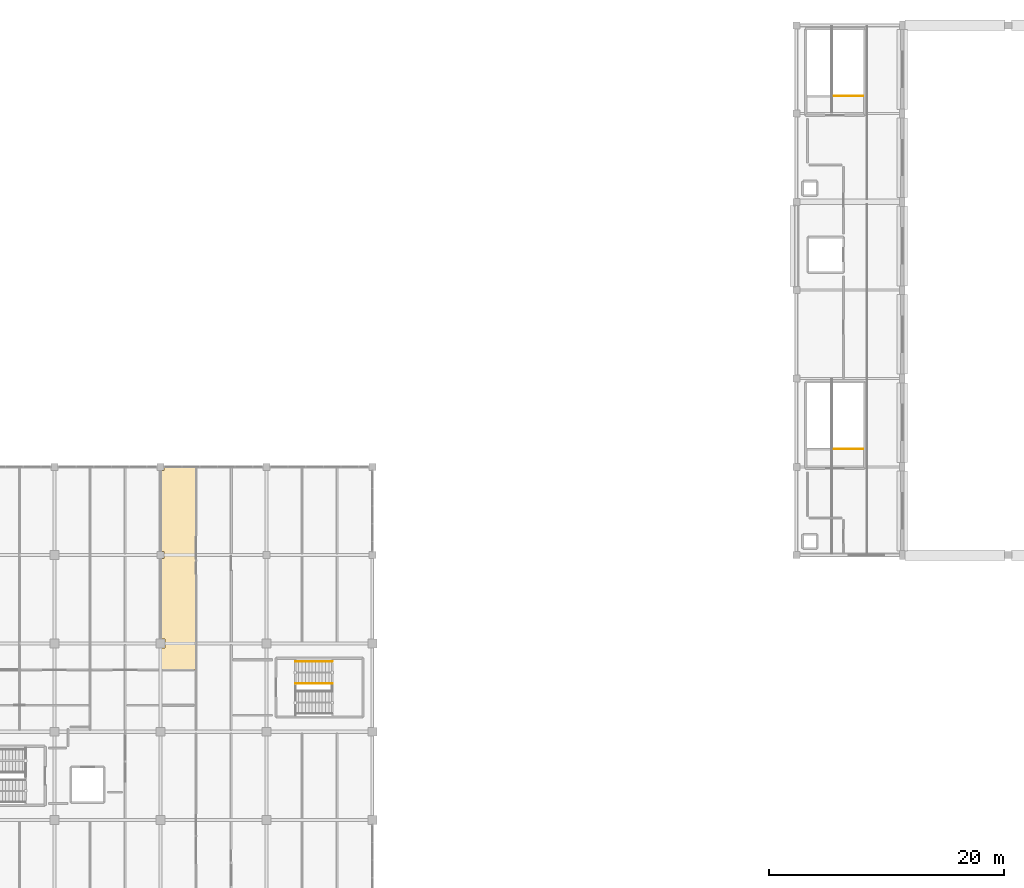
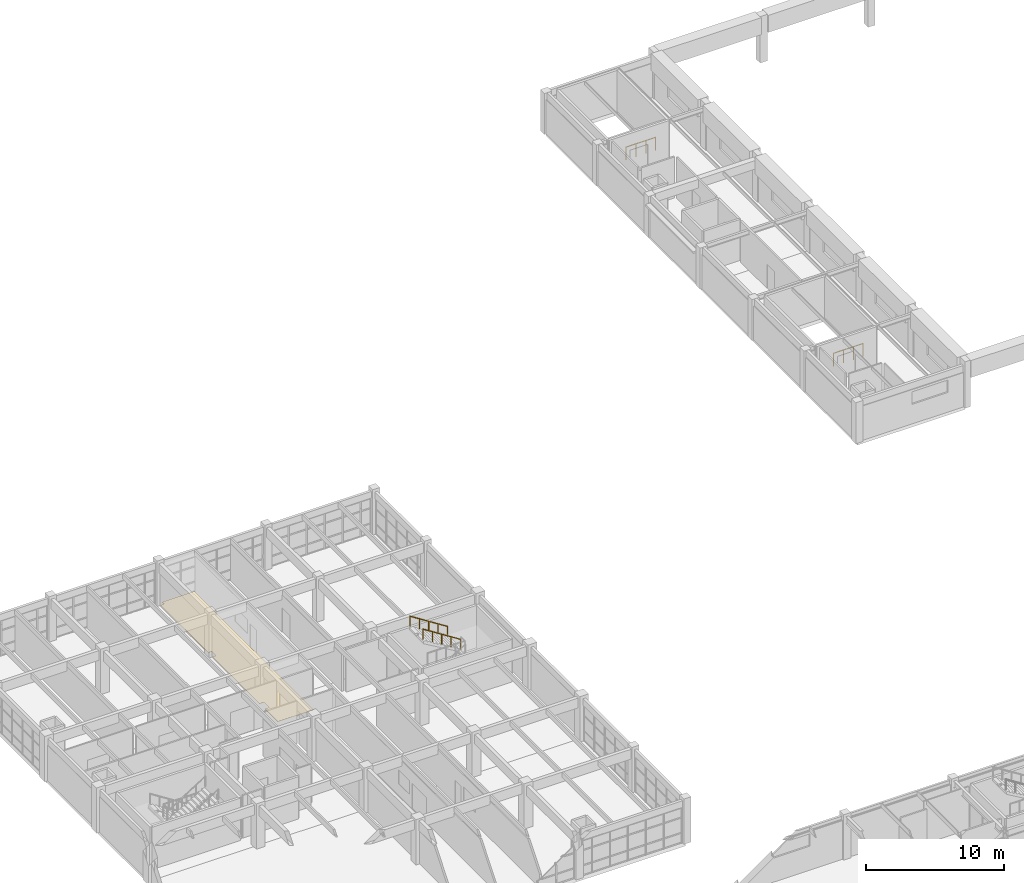
# One storey, part 76 of 76: 4 railings, 1 covering.
"""IFC4 building model written with IfcOpenShell, lengths in metres."""

from ifc_helpers import new_model, si_unit, direction, frame, origin, origin_2d, place, context, subcontext, project, spatial, polyline, circle, outline, extrude, material, layer, layer_set, type_object, element, save


model = new_model("IFC4")

# Units and contexts
model_context = context("Model", 3, precision=1e-05, world=origin(), true_north=direction((0.0, 1.0)))
body_context = subcontext(model_context, "Body", "Model", "MODEL_VIEW")
ifc_project = project(units=[si_unit("LENGTHUNIT", "METRE"), si_unit("AREAUNIT", "SQUARE_METRE"), si_unit("VOLUMEUNIT", "CUBIC_METRE"), si_unit("PLANEANGLEUNIT", "RADIAN"), si_unit("MASSUNIT", "GRAM", prefix="KILO")], contexts=[model_context])

# Site, building, storey
site_placement = place(None, origin())
site = spatial("IfcSite", under=ifc_project, at=site_placement, CompositionType="ELEMENT")
building_placement = place(site_placement, origin())
building = spatial("IfcBuilding", under=site, at=building_placement, Name="Marnridge Secondary College", CompositionType="ELEMENT")
storey_placement = place(building_placement, frame((0.0, 0.0, 4.5)))
storey = spatial("IfcBuildingStorey", under=building, at=storey_placement, Name="L01", CompositionType="ELEMENT", Elevation=4.5)

# Covering
ifc_material_1 = material(Name="Acoustic natural linoleum classroom flooring", Category="wood")
ifc_layer = layer(ifc_material_1, 0.011962890625)
ifc_layer_set = layer_set([ifc_layer], Name="CV-FLR-LINO")
covering_type = type_object("IfcCoveringType", Name="CV-FLR-LINO", PredefinedType="FLOORING", material=ifc_layer_set)
covering_placement = place(storey_placement, origin())
element("IfcCovering", 1, at=covering_placement, inside=storey, type_object=covering_type, Name="Linoleum flooring CVF-002", PredefinedType="FLOORING", context=body_context, shape_type="SweptSolid", body=[
    extrude(outline(polyline([(72.375, 67.125), (72.375, 67.875), (72.001953125, 67.875), (72.001953125, 74.699951171875), (72.300048828125, 74.699951171875), (72.300048828125, 75.300048828125), (72.001953125, 75.300048828125), (72.001953125, 82.199951171875), (72.300048828125, 82.199951171875), (72.300048828125, 82.498046875), (74.998046875, 82.498046875), (74.998046875, 65.251953125), (72.001953125, 65.251953125), (72.001953125, 67.125), (72.375, 67.125)])), origin(), (0.0, 0.0, 1.0), 0.011962890625),
])

# Railings
ifc_material_2 = material(Name="Stainless steel Grade 350 (350 MPa) 48 mm handrail", Category="steel")
railing_type_1 = type_object("IfcRailingType", Name="RL-HND-900", PredefinedType="HANDRAIL", material=ifc_material_2)
for number, where, name in (
    (2, (86.5849609375, 64.090087890625, 2.0), "Stair handrail HR-039"),
    (3, (86.5849609375, 65.969970703125, 2.0), "Stair handrail HR-040"),
):
    element("IfcRailing", number, at=place(storey_placement, frame(where)), inside=storey, type_object=railing_type_1, Name=name, PredefinedType="HANDRAIL", context=body_context, shape_type="SweptSolid", body=[
        extrude(circle(Radius=0.02392578125, at=origin_2d()), frame((0.0, 0.0, 0.8759765625), z_axis=(-0.843052688722, 0.0, 0.537830980921), x_axis=(0.0, -1.0, 0.0)), (0.0, 0.0, 1.0), 3.71875),
        extrude(circle(Radius=0.02099609375, at=origin_2d()), origin(), (0.0, 0.0, 1.0), 0.851806640625),
        extrude(circle(Radius=0.02099609375, at=origin_2d()), frame((-0.78369140625, 0.0, 0.5)), (0.0, 0.0, 1.0), 0.851806640625),
        extrude(circle(Radius=0.02099609375, at=origin_2d()), frame((-1.5673828125, 0.0, 1.0)), (0.0, 0.0, 1.0), 0.851806640625),
        extrude(circle(Radius=0.02099609375, at=origin_2d()), frame((-2.351318359375, 0.0, 1.5)), (0.0, 0.0, 1.0), 0.851806640625),
        extrude(circle(Radius=0.02099609375, at=origin_2d()), frame((-3.135009765625, 0.0, 2.0)), (0.0, 0.0, 1.0), 0.851806640625),
    ])
ifc_material_3 = material(Name="Painted steel Grade C350L0 (350 MPa) stair-well guard", Category="steel")
railing_type_2 = type_object("IfcRailingType", Name="RL-STAIR-1150", PredefinedType="BALUSTRADE", material=ifc_material_3)
for number, where, name in (
    (4, (131.679931640625, 84.0, 0.0), "Stair well arrival guard GS-174"),
    (5, (131.679931640625, 114.0, 0.0), "Stair well arrival guard GS-180"),
):
    element("IfcRailing", number, at=place(storey_placement, frame(where)), inside=storey, type_object=railing_type_2, Name=name, PredefinedType="BALUSTRADE", context=body_context, shape_type="SweptSolid", body=[
        extrude(circle(Radius=0.02392578125, at=origin_2d()), frame((0.0, 0.0, 1.1259765625), z_axis=(-1.0, 0.0, 0.0), x_axis=(0.0, -1.0, 0.0)), (0.0, 0.0, 1.0), 2.4599609375),
        extrude(circle(Radius=0.02099609375, at=origin_2d()), origin(), (0.0, 0.0, 1.0), 1.101806640625),
        extrude(circle(Radius=0.02099609375, at=origin_2d()), frame((-0.820068359375, 0.0, 0.0)), (0.0, 0.0, 1.0), 1.101806640625),
        extrude(circle(Radius=0.02099609375, at=origin_2d()), frame((-1.639892578125, 0.0, 0.0)), (0.0, 0.0, 1.0), 1.101806640625),
        extrude(circle(Radius=0.02099609375, at=origin_2d()), frame((-2.4599609375, 0.0, 0.0)), (0.0, 0.0, 1.0), 1.101806640625),
    ])

save(model, "model.ifc")
